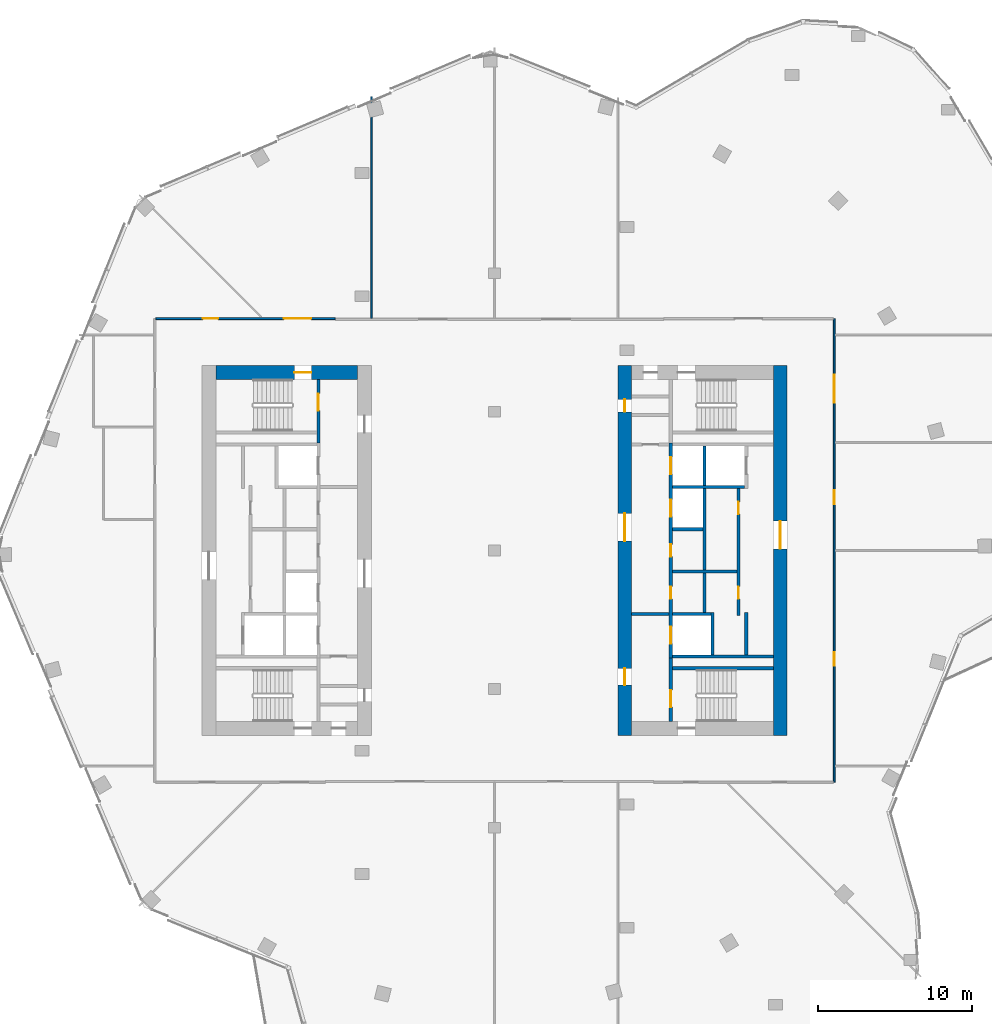
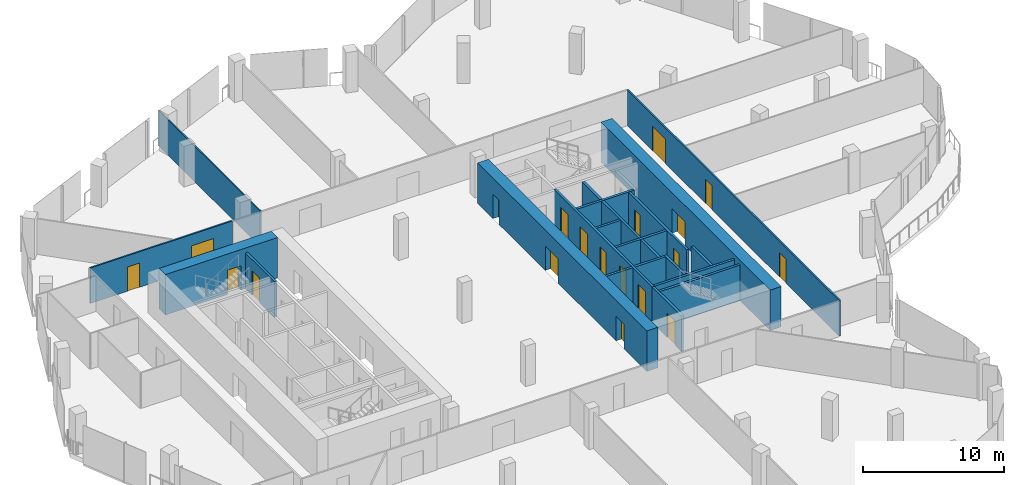
# One storey, part 20 of 26: 22 walls, 19 doors, 19 openings.
"""IFC4 building model written with IfcOpenShell, lengths in metres."""

from ifc_helpers import new_model, si_unit, direction, frame, frame_2d, origin, place, context, subcontext, project, spatial, rectangle, extrude, material, layer, layer_set, type_object, element, fill, save


model = new_model("IFC4")

# Units and contexts
model_context = context("Model", 3, precision=1e-05, world=origin(), true_north=direction((0.0, 1.0)))
body_context = subcontext(model_context, "Body", "Model", "MODEL_VIEW")
ifc_project = project(units=[si_unit("LENGTHUNIT", "METRE"), si_unit("AREAUNIT", "SQUARE_METRE"), si_unit("VOLUMEUNIT", "CUBIC_METRE"), si_unit("PLANEANGLEUNIT", "RADIAN"), si_unit("MASSUNIT", "GRAM", prefix="KILO")], contexts=[model_context])

# Site, building, storey
site_placement = place(None, origin())
site = spatial("IfcSite", under=ifc_project, at=site_placement, CompositionType="ELEMENT")
building_placement = place(site_placement, origin())
building = spatial("IfcBuilding", under=site, at=building_placement, Name="Orlundy Tower", CompositionType="ELEMENT")
storey_placement = place(building_placement, frame((0.0, 0.0, 275.39990234375)))
storey = spatial("IfcBuildingStorey", under=building, at=storey_placement, Name="L73", CompositionType="ELEMENT", Elevation=275.39990234375)

# Wall, opening, door
ifc_material_1 = material(Name="Concrete C50/60", Category="concrete")
ifc_layer_1 = layer(ifc_material_1, 0.89990234375)
ifc_layer_set_1 = layer_set([ifc_layer_1], Name="CORE WALL 900 C50/60")
wall_type_1 = type_object("IfcWallType", Name="CORE WALL 900 C50/60", PredefinedType="SHEAR", material=ifc_layer_set_1)
wall_1_placement = place(storey_placement, frame((-18.10009765625, 11.550048828125, 0.0), z_axis=(0.0, 0.0, 1.0), x_axis=(1.0, 0.0, 0.0)))
wall_1 = element("IfcWall", 1, at=wall_1_placement, inside=storey, type_object=wall_type_1, Name="Core wall W-N L73", PredefinedType="SHEAR", context=body_context, shape_type="SweptSolid", body=[
    extrude(rectangle(XDim=9.2001953125, YDim=0.89990234375, at=frame_2d((4.60009765625, 0.0))), origin(), (0.0, 0.0, 1.0), 3.5),
])
opening_1_placement = place(wall_1_placement, frame((5.10009765625, 0.0, 0.0)))
opening_1 = element("IfcOpeningElement", 2, at=opening_1_placement, cuts=wall_1, Name="Opening 55012", PredefinedType="OPENING", context=body_context, shape_type="SweptSolid", body=[
    extrude(rectangle(XDim=1.10009765625, YDim=2.10009765625, at=frame_2d((0.550048828125, 1.050048828125))), frame((0.0, 0.4599609375, 0.0), z_axis=(0.0, -1.0, 0.0), x_axis=(1.0, 0.0, 0.0)), (0.0, 0.0, 1.0), 0.919921875),
])
ifc_material_2 = material(Name="Steel door set", Category="steel")
door_type_1 = type_object("IfcDoorType", Name="Stair Door 1100x2100", OperationType="SINGLE_SWING_LEFT", PredefinedType="DOOR", material=ifc_material_2)
door_1_placement = place(opening_1_placement, origin())
door_1 = element("IfcDoor", 3, at=door_1_placement, inside=storey, type_object=door_type_1, Name="Stair door 55012", OperationType="SINGLE_SWING_RIGHT", OverallHeight=2.10009765625, OverallWidth=1.10009765625, PredefinedType="DOOR", context=body_context, shape_type="SweptSolid", body=[
    extrude(rectangle(XDim=1.10009765625, YDim=2.10009765625, at=frame_2d((0.550048828125, 1.050048828125))), frame((0.0, 0.02490234375, 0.0), z_axis=(0.0, -1.0, 0.0), x_axis=(1.0, 0.0, 0.0)), (0.0, 0.0, 1.0), 0.050048828125),
])
fill(opening_1, door_1)

# Wall, openings, doors
wall_2_placement = place(storey_placement, frame((8.449951171875, -12.0, 0.0), z_axis=(0.0, 0.0, 1.0), x_axis=(0.0, 1.0, 0.0)))
wall_2 = element("IfcWall", 4, at=wall_2_placement, inside=storey, type_object=wall_type_1, Name="Core wall E-W L73", PredefinedType="SHEAR", context=body_context, shape_type="SweptSolid", body=[
    extrude(rectangle(XDim=24.0, YDim=0.89990234375, at=frame_2d((12.0, 0.0))), origin(), (0.0, 0.0, 1.0), 3.5),
])
opening_2_placement = place(wall_2_placement, frame((12.60009765625, 0.0, 0.0)))
opening_2 = element("IfcOpeningElement", 5, at=opening_2_placement, cuts=wall_2, Name="Opening 55058", PredefinedType="OPENING", context=body_context, shape_type="SweptSolid", body=[
    extrude(rectangle(XDim=1.800048828125, YDim=2.10009765625, at=frame_2d((0.89990234375, 1.050048828125))), frame((0.0, 0.4599609375, 0.0), z_axis=(0.0, -1.0, 0.0), x_axis=(1.0, 0.0, 0.0)), (0.0, 0.0, 1.0), 0.919921875),
])
opening_3_placement = place(wall_2_placement, frame((3.25, 0.0, 0.0)))
opening_3 = element("IfcOpeningElement", 6, at=opening_3_placement, cuts=wall_2, Name="Opening 55060", PredefinedType="OPENING", context=body_context, shape_type="SweptSolid", body=[
    extrude(rectangle(XDim=1.10009765625, YDim=2.10009765625, at=frame_2d((0.550048828125, 1.050048828125))), frame((0.0, 0.4599609375, 0.0), z_axis=(0.0, -1.0, 0.0), x_axis=(1.0, 0.0, 0.0)), (0.0, 0.0, 1.0), 0.919921875),
])
opening_4_placement = place(wall_2_placement, frame((21.0, 0.0, 0.0)))
opening_4 = element("IfcOpeningElement", 7, at=opening_4_placement, cuts=wall_2, Name="Opening 55065", PredefinedType="OPENING", context=body_context, shape_type="SweptSolid", body=[
    extrude(rectangle(XDim=0.800048828125, YDim=2.10009765625, at=frame_2d((0.39990234375, 1.050048828125))), frame((0.0, 0.4599609375, 0.0), z_axis=(0.0, -1.0, 0.0), x_axis=(1.0, 0.0, 0.0)), (0.0, 0.0, 1.0), 0.919921875),
])
ifc_material_3 = material(Name="Steel door set", Category="steel")
door_type_2 = type_object("IfcDoorType", Name="Fire-fighting Lobby Door 1100x2100", OperationType="SINGLE_SWING_LEFT", PredefinedType="DOOR", material=ifc_material_3)
door_2_placement = place(opening_3_placement, origin())
door_2 = element("IfcDoor", 8, at=door_2_placement, inside=storey, type_object=door_type_2, Name="Fire-fighting lobby door 55060", OperationType="SINGLE_SWING_LEFT", OverallHeight=2.10009765625, OverallWidth=1.10009765625, PredefinedType="DOOR", context=body_context, shape_type="SweptSolid", body=[
    extrude(rectangle(XDim=1.10009765625, YDim=2.10009765625, at=frame_2d((0.550048828125, 1.050048828125))), frame((0.0, 0.02490234375, 0.0), z_axis=(0.0, -1.0, 0.0), x_axis=(1.0, 0.0, 0.0)), (0.0, 0.0, 1.0), 0.050048828125),
])
fill(opening_3, door_2)
ifc_material_4 = material(Name="Timber door set", Category="wood")
door_type_3 = type_object("IfcDoorType", Name="Lobby Door 1800x2100", OperationType="DOUBLE_DOOR_DOUBLE_SWING", PredefinedType="DOOR", material=ifc_material_4)
door_3_placement = place(opening_2_placement, origin())
door_3 = element("IfcDoor", 9, at=door_3_placement, inside=storey, type_object=door_type_3, Name="Lift lobby door 55058", OperationType="SINGLE_SWING_RIGHT", OverallHeight=2.10009765625, OverallWidth=1.800048828125, PredefinedType="DOOR", context=body_context, shape_type="SweptSolid", body=[
    extrude(rectangle(XDim=1.800048828125, YDim=2.10009765625, at=frame_2d((0.89990234375, 1.050048828125))), frame((0.0, 0.02490234375, 0.0), z_axis=(0.0, -1.0, 0.0), x_axis=(1.0, 0.0, 0.0)), (0.0, 0.0, 1.0), 0.050048828125),
])
fill(opening_2, door_3)
ifc_material_5 = material(Name="Timber door set", Category="wood")
door_type_4 = type_object("IfcDoorType", Name="Riser Door 800x2100", OperationType="SINGLE_SWING_LEFT", PredefinedType="DOOR", material=ifc_material_5)
door_4_placement = place(opening_4_placement, origin())
door_4 = element("IfcDoor", 10, at=door_4_placement, inside=storey, type_object=door_type_4, Name="Door 55065", OperationType="SINGLE_SWING_RIGHT", OverallHeight=2.10009765625, OverallWidth=0.800048828125, PredefinedType="DOOR", context=body_context, shape_type="SweptSolid", body=[
    extrude(rectangle(XDim=0.800048828125, YDim=2.10009765625, at=frame_2d((0.39990234375, 1.050048828125))), frame((0.0, 0.02490234375, 0.0), z_axis=(0.0, -1.0, 0.0), x_axis=(1.0, 0.0, 0.0)), (0.0, 0.0, 1.0), 0.050048828125),
])
fill(opening_4, door_4)

# Wall, opening, door
wall_3_placement = place(storey_placement, frame((18.550048828125, -12.0, 0.0), z_axis=(0.0, 0.0, 1.0), x_axis=(0.0, 1.0, 0.0)))
wall_3 = element("IfcWall", 11, at=wall_3_placement, inside=storey, type_object=wall_type_1, Name="Core wall E-E L73", PredefinedType="SHEAR", context=body_context, shape_type="SweptSolid", body=[
    extrude(rectangle(XDim=24.0, YDim=0.89990234375, at=frame_2d((12.0, 0.0))), origin(), (0.0, 0.0, 1.0), 3.5),
])
opening_5_placement = place(wall_3_placement, frame((12.10009765625, 0.0, 0.0)))
opening_5 = element("IfcOpeningElement", 12, at=opening_5_placement, cuts=wall_3, Name="Opening 55059", PredefinedType="OPENING", context=body_context, shape_type="SweptSolid", body=[
    extrude(rectangle(XDim=1.800048828125, YDim=2.10009765625, at=frame_2d((0.89990234375, 1.050048828125))), frame((0.0, 0.4599609375, 0.0), z_axis=(0.0, -1.0, 0.0), x_axis=(1.0, 0.0, 0.0)), (0.0, 0.0, 1.0), 0.919921875),
])
door_5_placement = place(opening_5_placement, origin())
door_5 = element("IfcDoor", 13, at=door_5_placement, inside=storey, type_object=door_type_3, Name="Lift lobby door 55059", OperationType="SINGLE_SWING_RIGHT", OverallHeight=2.10009765625, OverallWidth=1.800048828125, PredefinedType="DOOR", context=body_context, shape_type="SweptSolid", body=[
    extrude(rectangle(XDim=1.800048828125, YDim=2.10009765625, at=frame_2d((0.89990234375, 1.050048828125))), frame((0.0, 0.02490234375, 0.0), z_axis=(0.0, -1.0, 0.0), x_axis=(1.0, 0.0, 0.0)), (0.0, 0.0, 1.0), 0.050048828125),
])
fill(opening_5, door_5)

# Wall
ifc_material_6 = material(Name="Gypsum board partition")
ifc_layer_2 = layer(ifc_material_6, 0.10009765625)
ifc_layer_set_2 = layer_set([ifc_layer_2], Name="Floor partition 100")
wall_type_2 = type_object("IfcWallType", Name="Floor partition 100", PredefinedType="PARTITIONING", material=ifc_layer_set_2)
wall_4_placement = place(storey_placement, frame((-8.0, 15.06298828125, 0.0), z_axis=(0.0, 0.0, 1.0), x_axis=(0.0, 1.0, 0.0)))
element("IfcWall", 14, at=wall_4_placement, inside=storey, type_object=wall_type_2, Name="wall-int-L73-023", PredefinedType="PARTITIONING", context=body_context, shape_type="SweptSolid", body=[
    extrude(rectangle(XDim=14.404052734375, YDim=0.10009765625, at=frame_2d((7.2021484375, 0.0))), origin(), (0.0, 0.0, 1.0), 3.080078125),
])

# Wall, openings, doors
ifc_material_7 = material(Name="Gypsum board partition, double layer")
ifc_layer_3 = layer(ifc_material_7, 0.125)
ifc_layer_set_3 = layer_set([ifc_layer_3], Name="Floor partition 125")
wall_type_3 = type_object("IfcWallType", Name="Floor partition 125", PredefinedType="PARTITIONING", material=ifc_layer_set_3)
wall_5_placement = place(storey_placement, frame((-21.988037109375, 15.051025390625, 0.0), z_axis=(0.0, 0.0, 1.0), x_axis=(1.0, 0.0, 0.0)))
wall_5 = element("IfcWall", 15, at=wall_5_placement, inside=storey, type_object=wall_type_3, Name="wall-int-L73-015", PredefinedType="PARTITIONING", context=body_context, shape_type="SweptSolid", body=[
    extrude(rectangle(XDim=11.637939453125, YDim=0.125, at=frame_2d((5.81884765625, 0.0))), origin(), (0.0, 0.0, 1.0), 3.080078125),
])
opening_6_placement = place(wall_5_placement, frame((8.28662109375, 0.0, 0.0)))
opening_6 = element("IfcOpeningElement", 16, at=opening_6_placement, cuts=wall_5, Name="Opening 55113", PredefinedType="OPENING", context=body_context, shape_type="SweptSolid", body=[
    extrude(rectangle(XDim=1.800048828125, YDim=2.10009765625, at=frame_2d((0.89990234375, 1.050048828125))), frame((0.0, 0.072509765625, 0.0), z_axis=(0.0, -1.0, 0.0), x_axis=(1.0, 0.0, 0.0)), (0.0, 0.0, 1.0), 0.14501953125),
])
opening_7_placement = place(wall_5_placement, frame((3.03759765625, 0.0, 0.0)))
opening_7 = element("IfcOpeningElement", 17, at=opening_7_placement, cuts=wall_5, Name="Opening 55114", PredefinedType="OPENING", context=body_context, shape_type="SweptSolid", body=[
    extrude(rectangle(XDim=1.0, YDim=2.10009765625, at=frame_2d((0.5, 1.050048828125))), frame((0.0, 0.072509765625, 0.0), z_axis=(0.0, -1.0, 0.0), x_axis=(1.0, 0.0, 0.0)), (0.0, 0.0, 1.0), 0.14501953125),
])
ifc_material_8 = material(Name="Timber door leaf", Category="wood")
door_type_5 = type_object("IfcDoorType", Name="Floor door double 1800 FD30S", OperationType="NOTDEFINED", PredefinedType="DOOR", material=ifc_material_8)
door_6_placement = place(opening_6_placement, origin())
door_6 = element("IfcDoor", 18, at=door_6_placement, inside=storey, type_object=door_type_5, Name="Door 55113", OperationType="DOUBLE_DOOR_SINGLE_SWING", OverallHeight=2.10009765625, OverallWidth=1.800048828125, PredefinedType="DOOR", context=body_context, shape_type="SweptSolid", body=[
    extrude(rectangle(XDim=1.800048828125, YDim=2.10009765625, at=frame_2d((0.89990234375, 1.050048828125))), frame((0.0, 0.02490234375, 0.0), z_axis=(0.0, -1.0, 0.0), x_axis=(1.0, 0.0, 0.0)), (0.0, 0.0, 1.0), 0.050048828125),
])
fill(opening_6, door_6)
ifc_material_9 = material(Name="Timber door leaf", Category="wood")
door_type_6 = type_object("IfcDoorType", Name="Floor door wide 1000 FD30S", OperationType="NOTDEFINED", PredefinedType="DOOR", material=ifc_material_9)
door_7_placement = place(opening_7_placement, origin())
door_7 = element("IfcDoor", 19, at=door_7_placement, inside=storey, type_object=door_type_6, Name="Door 55114", OperationType="SINGLE_SWING_LEFT", OverallHeight=2.10009765625, OverallWidth=1.0, PredefinedType="DOOR", context=body_context, shape_type="SweptSolid", body=[
    extrude(rectangle(XDim=1.0, YDim=2.10009765625, at=frame_2d((0.5, 1.050048828125))), frame((0.0, 0.02490234375, 0.0), z_axis=(0.0, -1.0, 0.0), x_axis=(1.0, 0.0, 0.0)), (0.0, 0.0, 1.0), 0.050048828125),
])
fill(opening_7, door_7)

wall_6_placement = place(storey_placement, frame((22.051025390625, 15.050048828125, 0.0), z_axis=(0.0, 0.0, 1.0), x_axis=(0.0, -1.0, 0.0)))
wall_6 = element("IfcWall", 20, at=wall_6_placement, inside=storey, type_object=wall_type_3, Name="wall-int-L73-018", PredefinedType="PARTITIONING", context=body_context, shape_type="SweptSolid", body=[
    extrude(rectangle(XDim=30.10009765625, YDim=0.125, at=frame_2d((15.050048828125, 0.0))), origin(), (0.0, 0.0, 1.0), 3.080078125),
])
opening_8_placement = place(wall_6_placement, frame((21.64990234375, 0.0, 0.0)))
opening_8 = element("IfcOpeningElement", 21, at=opening_8_placement, cuts=wall_6, Name="Opening 55107", PredefinedType="OPENING", context=body_context, shape_type="SweptSolid", body=[
    extrude(rectangle(XDim=0.89990234375, YDim=2.10009765625, at=frame_2d((0.449951171875, 1.050048828125))), frame((0.0, 0.072509765625, 0.0), z_axis=(0.0, -1.0, 0.0), x_axis=(1.0, 0.0, 0.0)), (0.0, 0.0, 1.0), 0.14501953125),
])
opening_9_placement = place(wall_6_placement, frame((11.14990234375, 0.0, 0.0)))
opening_9 = element("IfcOpeningElement", 22, at=opening_9_placement, cuts=wall_6, Name="Opening 55108", PredefinedType="OPENING", context=body_context, shape_type="SweptSolid", body=[
    extrude(rectangle(XDim=0.89990234375, YDim=2.10009765625, at=frame_2d((0.449951171875, 1.050048828125))), frame((0.0, 0.072509765625, 0.0), z_axis=(0.0, -1.0, 0.0), x_axis=(1.0, 0.0, 0.0)), (0.0, 0.0, 1.0), 0.14501953125),
])
opening_10_placement = place(wall_6_placement, frame((3.64990234375, 0.0, 0.0)))
opening_10 = element("IfcOpeningElement", 23, at=opening_10_placement, cuts=wall_6, Name="Opening 55109", PredefinedType="OPENING", context=body_context, shape_type="SweptSolid", body=[
    extrude(rectangle(XDim=1.800048828125, YDim=2.10009765625, at=frame_2d((0.89990234375, 1.050048828125))), frame((0.0, 0.072509765625, 0.0), z_axis=(0.0, -1.0, 0.0), x_axis=(1.0, 0.0, 0.0)), (0.0, 0.0, 1.0), 0.14501953125),
])
door_8_placement = place(opening_10_placement, origin())
door_8 = element("IfcDoor", 24, at=door_8_placement, inside=storey, type_object=door_type_5, Name="Door 55109", OperationType="DOUBLE_DOOR_SINGLE_SWING", OverallHeight=2.10009765625, OverallWidth=1.800048828125, PredefinedType="DOOR", context=body_context, shape_type="SweptSolid", body=[
    extrude(rectangle(XDim=1.800048828125, YDim=2.10009765625, at=frame_2d((0.89990234375, 1.050048828125))), frame((0.0, 0.02490234375, 0.0), z_axis=(0.0, -1.0, 0.0), x_axis=(1.0, 0.0, 0.0)), (0.0, 0.0, 1.0), 0.050048828125),
])
fill(opening_10, door_8)
ifc_material_10 = material(Name="Timber door leaf", Category="wood")
door_type_7 = type_object("IfcDoorType", Name="Floor door single 900 FD30S", OperationType="NOTDEFINED", PredefinedType="DOOR", material=ifc_material_10)
door_9_placement = place(opening_8_placement, origin())
door_9 = element("IfcDoor", 25, at=door_9_placement, inside=storey, type_object=door_type_7, Name="Door 55107", OperationType="SINGLE_SWING_RIGHT", OverallHeight=2.10009765625, OverallWidth=0.89990234375, PredefinedType="DOOR", context=body_context, shape_type="SweptSolid", body=[
    extrude(rectangle(XDim=0.89990234375, YDim=2.10009765625, at=frame_2d((0.449951171875, 1.050048828125))), frame((0.0, 0.02490234375, 0.0), z_axis=(0.0, -1.0, 0.0), x_axis=(1.0, 0.0, 0.0)), (0.0, 0.0, 1.0), 0.050048828125),
])
fill(opening_8, door_9)
door_10_placement = place(opening_9_placement, origin())
door_10 = element("IfcDoor", 26, at=door_10_placement, inside=storey, type_object=door_type_7, Name="Door 55108", OperationType="SINGLE_SWING_LEFT", OverallHeight=2.10009765625, OverallWidth=0.89990234375, PredefinedType="DOOR", context=body_context, shape_type="SweptSolid", body=[
    extrude(rectangle(XDim=0.89990234375, YDim=2.10009765625, at=frame_2d((0.449951171875, 1.050048828125))), frame((0.0, 0.02490234375, 0.0), z_axis=(0.0, -1.0, 0.0), x_axis=(1.0, 0.0, 0.0)), (0.0, 0.0, 1.0), 0.050048828125),
])
fill(opening_9, door_10)

# Wall, opening, door
ifc_material_11 = material(Name="Concrete C40/50", Category="concrete")
ifc_layer_4 = layer(ifc_material_11, 0.199951171875)
ifc_layer_set_4 = layer_set([ifc_layer_4], Name="Load-bearing Shaft Wall 200")
wall_type_4 = type_object("IfcWallType", Name="Load-bearing Shaft Wall 200", PredefinedType="SOLIDWALL", material=ifc_layer_set_4)
wall_7_placement = place(storey_placement, frame((-11.43994140625, 6.97509765625, 0.0), z_axis=(0.0, 0.0, 1.0), x_axis=(0.0, 1.0, 0.0)))
wall_7 = element("IfcWall", 27, at=wall_7_placement, inside=storey, type_object=wall_type_4, Name="Shaft wall W55-stair-end-n", PredefinedType="SOLIDWALL", context=body_context, shape_type="SweptSolid", body=[
    extrude(rectangle(XDim=4.125, YDim=0.199951171875, at=frame_2d((2.0625, 0.0))), origin(), (0.0, 0.0, 1.0), 3.090087890625),
])
opening_11_placement = place(wall_7_placement, frame((2.10009765625, 0.0, 0.0)))
opening_11 = element("IfcOpeningElement", 28, at=opening_11_placement, cuts=wall_7, Name="Opening 55014", PredefinedType="OPENING", context=body_context, shape_type="SweptSolid", body=[
    extrude(rectangle(XDim=1.10009765625, YDim=2.10009765625, at=frame_2d((0.550048828125, 1.050048828125))), frame((0.0, 0.110107421875, 0.0), z_axis=(0.0, -1.0, 0.0), x_axis=(1.0, 0.0, 0.0)), (0.0, 0.0, 1.0), 0.22021484375),
])
door_11_placement = place(opening_11_placement, origin())
door_11 = element("IfcDoor", 29, at=door_11_placement, inside=storey, type_object=door_type_2, Name="Fire-fighting lobby to stair door 55014", OperationType="SINGLE_SWING_RIGHT", OverallHeight=2.10009765625, OverallWidth=1.10009765625, PredefinedType="DOOR", context=body_context, shape_type="SweptSolid", body=[
    extrude(rectangle(XDim=1.10009765625, YDim=2.10009765625, at=frame_2d((0.550048828125, 1.050048828125))), frame((0.0, 0.02490234375, 0.0), z_axis=(0.0, -1.0, 0.0), x_axis=(1.0, 0.0, 0.0)), (0.0, 0.0, 1.0), 0.050048828125),
])
fill(opening_11, door_11)

wall_8_placement = place(storey_placement, frame((11.43994140625, -6.97509765625, 0.0), z_axis=(0.0, 0.0, 1.0), x_axis=(0.0, -1.0, 0.0)))
wall_8 = element("IfcWall", 30, at=wall_8_placement, inside=storey, type_object=wall_type_4, Name="Shaft wall E55-stair-end-n", PredefinedType="SOLIDWALL", context=body_context, shape_type="SweptSolid", body=[
    extrude(rectangle(XDim=4.125, YDim=0.199951171875, at=frame_2d((2.0625, 0.0))), origin(), (0.0, 0.0, 1.0), 3.090087890625),
])
opening_12_placement = place(wall_8_placement, frame((2.10009765625, 0.0, 0.0)))
opening_12 = element("IfcOpeningElement", 31, at=opening_12_placement, cuts=wall_8, Name="Opening 55063", PredefinedType="OPENING", context=body_context, shape_type="SweptSolid", body=[
    extrude(rectangle(XDim=1.10009765625, YDim=2.10009765625, at=frame_2d((0.550048828125, 1.050048828125))), frame((0.0, 0.110107421875, 0.0), z_axis=(0.0, -1.0, 0.0), x_axis=(1.0, 0.0, 0.0)), (0.0, 0.0, 1.0), 0.22021484375),
])
door_12_placement = place(opening_12_placement, origin())
door_12 = element("IfcDoor", 32, at=door_12_placement, inside=storey, type_object=door_type_2, Name="Fire-fighting lobby to stair door 55063", OperationType="SINGLE_SWING_RIGHT", OverallHeight=2.10009765625, OverallWidth=1.10009765625, PredefinedType="DOOR", context=body_context, shape_type="SweptSolid", body=[
    extrude(rectangle(XDim=1.10009765625, YDim=2.10009765625, at=frame_2d((0.550048828125, 1.050048828125))), frame((0.0, 0.02490234375, 0.0), z_axis=(0.0, -1.0, 0.0), x_axis=(1.0, 0.0, 0.0)), (0.0, 0.0, 1.0), 0.050048828125),
])
fill(opening_12, door_12)

# Walls
wall_9_placement = place(storey_placement, frame((11.5400390625, -7.64990234375, 0.0), z_axis=(0.0, 0.0, 1.0), x_axis=(1.0, 0.0, 0.0)))
element("IfcWall", 33, at=wall_9_placement, inside=storey, type_object=wall_type_4, Name="Shaft wall E55-stair-side-n", PredefinedType="SOLIDWALL", context=body_context, shape_type="SweptSolid", body=[
    extrude(rectangle(XDim=6.56005859375, YDim=0.199951171875, at=frame_2d((3.280029296875, 0.0))), origin(), (0.0, 0.0, 1.0), 3.090087890625),
])
ifc_material_12 = material(Name="Gypsum board partition on steel studs", Category="steel")
ifc_layer_5 = layer(ifc_material_12, 0.199951171875)
ifc_layer_set_5 = layer_set([ifc_layer_5], Name="Partition 200")
wall_type_5 = type_object("IfcWallType", Name="Partition 200", PredefinedType="PARTITIONING", material=ifc_layer_set_5)
wall_10_placement = place(storey_placement, frame((8.89990234375, -4.125, 0.0), z_axis=(0.0, 0.0, 1.0), x_axis=(1.0, 0.0, 0.0)))
element("IfcWall", 34, at=wall_10_placement, inside=storey, type_object=wall_type_5, Name="Partition wall E55-lobby-n", PredefinedType="PARTITIONING", context=body_context, shape_type="SweptSolid", body=[
    extrude(rectangle(XDim=2.440185546875, YDim=0.199951171875, at=frame_2d((1.22021484375, 0.0))), origin(), (0.0, 0.0, 1.0), 3.090087890625),
])
ifc_material_13 = material(Name="Fire-rated blockwork shaft wall", Category="masonry")
ifc_layer_6 = layer(ifc_material_13, 0.199951171875)
ifc_layer_set_6 = layer_set([ifc_layer_6], Name="Shaft Wall 200")
wall_type_6 = type_object("IfcWallType", Name="Shaft Wall 200", PredefinedType="SOLIDWALL", material=ifc_layer_set_6)
wall_11_placement = place(storey_placement, frame((11.5400390625, -6.875, 0.0), z_axis=(0.0, 0.0, 1.0), x_axis=(1.0, 0.0, 0.0)))
element("IfcWall", 35, at=wall_11_placement, inside=storey, type_object=wall_type_6, Name="Shaft wall E55-zone-n", PredefinedType="SOLIDWALL", context=body_context, shape_type="SweptSolid", body=[
    extrude(rectangle(XDim=6.56005859375, YDim=0.199951171875, at=frame_2d((3.280029296875, 0.0))), origin(), (0.0, 0.0, 1.0), 3.090087890625),
])
wall_12_placement = place(storey_placement, frame((11.5400390625, 4.125, 0.0), z_axis=(0.0, 0.0, 1.0), x_axis=(1.0, 0.0, 0.0)))
element("IfcWall", 36, at=wall_12_placement, inside=storey, type_object=wall_type_6, Name="Shaft wall E55-cross-4.125", PredefinedType="SOLIDWALL", context=body_context, shape_type="SweptSolid", body=[
    extrude(rectangle(XDim=4.699951171875, YDim=0.199951171875, at=frame_2d((2.35009765625, 0.0))), origin(), (0.0, 0.0, 1.0), 3.090087890625),
])
wall_13_placement = place(storey_placement, frame((11.5400390625, 1.375, 0.0), z_axis=(0.0, 0.0, 1.0), x_axis=(1.0, 0.0, 0.0)))
element("IfcWall", 37, at=wall_13_placement, inside=storey, type_object=wall_type_6, Name="Shaft wall E55-cross-1.375", PredefinedType="SOLIDWALL", context=body_context, shape_type="SweptSolid", body=[
    extrude(rectangle(XDim=2.0, YDim=0.199951171875, at=frame_2d((1.0, 0.0))), origin(), (0.0, 0.0, 1.0), 3.090087890625),
])
wall_14_placement = place(storey_placement, frame((11.5400390625, -1.375, 0.0), z_axis=(0.0, 0.0, 1.0), x_axis=(1.0, 0.0, 0.0)))
element("IfcWall", 38, at=wall_14_placement, inside=storey, type_object=wall_type_6, Name="Shaft wall E55-cross+1.375", PredefinedType="SOLIDWALL", context=body_context, shape_type="SweptSolid", body=[
    extrude(rectangle(XDim=4.199951171875, YDim=0.199951171875, at=frame_2d((2.10009765625, 0.0))), origin(), (0.0, 0.0, 1.0), 3.090087890625),
])
wall_15_placement = place(storey_placement, frame((11.5400390625, -4.125, 0.0), z_axis=(0.0, 0.0, 1.0), x_axis=(1.0, 0.0, 0.0)))
element("IfcWall", 39, at=wall_15_placement, inside=storey, type_object=wall_type_6, Name="Shaft wall E55-cross+4.125", PredefinedType="SOLIDWALL", context=body_context, shape_type="SweptSolid", body=[
    extrude(rectangle(XDim=2.5, YDim=0.199951171875, at=frame_2d((1.25, 0.0))), origin(), (0.0, 0.0, 1.0), 3.090087890625),
])

# Wall, openings, doors
wall_16_placement = place(storey_placement, frame((11.43994140625, 6.97509765625, 0.0), z_axis=(0.0, 0.0, 1.0), x_axis=(0.0, -1.0, 0.0)))
wall_16 = element("IfcWall", 40, at=wall_16_placement, inside=storey, type_object=wall_type_6, Name="Shaft wall E55-front-h", PredefinedType="SOLIDWALL", context=body_context, shape_type="SweptSolid", body=[
    extrude(rectangle(XDim=13.9501953125, YDim=0.199951171875, at=frame_2d((6.97509765625, 0.0))), origin(), (0.0, 0.0, 1.0), 3.090087890625),
])
opening_13_placement = place(wall_16_placement, frame((0.925048828125, 0.0, 0.0)))
opening_13 = element("IfcOpeningElement", 41, at=opening_13_placement, cuts=wall_16, Name="Opening 55050", PredefinedType="OPENING", context=body_context, shape_type="SweptSolid", body=[
    extrude(rectangle(XDim=1.10009765625, YDim=2.10009765625, at=frame_2d((0.550048828125, 1.050048828125))), frame((0.0, 0.110107421875, 0.0), z_axis=(0.0, -1.0, 0.0), x_axis=(1.0, 0.0, 0.0)), (0.0, 0.0, 1.0), 0.22021484375),
])
opening_14_placement = place(wall_16_placement, frame((3.675048828125, 0.0, 0.0)))
opening_14 = element("IfcOpeningElement", 42, at=opening_14_placement, cuts=wall_16, Name="Opening 55052", PredefinedType="OPENING", context=body_context, shape_type="SweptSolid", body=[
    extrude(rectangle(XDim=1.10009765625, YDim=2.10009765625, at=frame_2d((0.550048828125, 1.050048828125))), frame((0.0, 0.110107421875, 0.0), z_axis=(0.0, -1.0, 0.0), x_axis=(1.0, 0.0, 0.0)), (0.0, 0.0, 1.0), 0.22021484375),
])
opening_15_placement = place(wall_16_placement, frame((11.925048828125, 0.0, 0.0)))
opening_15 = element("IfcOpeningElement", 43, at=opening_15_placement, cuts=wall_16, Name="Opening 55053", PredefinedType="OPENING", context=body_context, shape_type="SweptSolid", body=[
    extrude(rectangle(XDim=1.10009765625, YDim=2.10009765625, at=frame_2d((0.550048828125, 1.050048828125))), frame((0.0, 0.110107421875, 0.0), z_axis=(0.0, -1.0, 0.0), x_axis=(1.0, 0.0, 0.0)), (0.0, 0.0, 1.0), 0.22021484375),
])
opening_16_placement = place(wall_16_placement, frame((6.574951171875, 0.0, 0.0)))
opening_16 = element("IfcOpeningElement", 44, at=opening_16_placement, cuts=wall_16, Name="Opening 55055", PredefinedType="OPENING", context=body_context, shape_type="SweptSolid", body=[
    extrude(rectangle(XDim=0.800048828125, YDim=2.10009765625, at=frame_2d((0.39990234375, 1.050048828125))), frame((0.0, 0.110107421875, 0.0), z_axis=(0.0, -1.0, 0.0), x_axis=(1.0, 0.0, 0.0)), (0.0, 0.0, 1.0), 0.22021484375),
])
opening_17_placement = place(wall_16_placement, frame((9.324951171875, 0.0, 0.0)))
opening_17 = element("IfcOpeningElement", 45, at=opening_17_placement, cuts=wall_16, Name="Opening 55056", PredefinedType="OPENING", context=body_context, shape_type="SweptSolid", body=[
    extrude(rectangle(XDim=0.800048828125, YDim=2.10009765625, at=frame_2d((0.39990234375, 1.050048828125))), frame((0.0, 0.110107421875, 0.0), z_axis=(0.0, -1.0, 0.0), x_axis=(1.0, 0.0, 0.0)), (0.0, 0.0, 1.0), 0.22021484375),
])
ifc_material_14 = material(Name="Steel door set", Category="steel")
door_type_8 = type_object("IfcDoorType", Name="Landing Door 1100x2100", OperationType="DOUBLE_DOOR_SLIDING", PredefinedType="DOOR", material=ifc_material_14)
door_13_placement = place(opening_13_placement, origin())
door_13 = element("IfcDoor", 46, at=door_13_placement, inside=storey, type_object=door_type_8, Name="Lift landing door LP-24 55050", OperationType="DOUBLE_DOOR_SLIDING", OverallHeight=2.10009765625, OverallWidth=1.10009765625, PredefinedType="DOOR", context=body_context, shape_type="SweptSolid", body=[
    extrude(rectangle(XDim=1.10009765625, YDim=2.10009765625, at=frame_2d((0.550048828125, 1.050048828125))), frame((0.0, 0.02490234375, 0.0), z_axis=(0.0, -1.0, 0.0), x_axis=(1.0, 0.0, 0.0)), (0.0, 0.0, 1.0), 0.050048828125),
])
fill(opening_13, door_13)
door_14_placement = place(opening_14_placement, origin())
door_14 = element("IfcDoor", 47, at=door_14_placement, inside=storey, type_object=door_type_8, Name="Lift landing door LP-23 55052", OperationType="DOUBLE_DOOR_SLIDING", OverallHeight=2.10009765625, OverallWidth=1.10009765625, PredefinedType="DOOR", context=body_context, shape_type="SweptSolid", body=[
    extrude(rectangle(XDim=1.10009765625, YDim=2.10009765625, at=frame_2d((0.550048828125, 1.050048828125))), frame((0.0, 0.02490234375, 0.0), z_axis=(0.0, -1.0, 0.0), x_axis=(1.0, 0.0, 0.0)), (0.0, 0.0, 1.0), 0.050048828125),
])
fill(opening_14, door_14)
door_15_placement = place(opening_15_placement, origin())
door_15 = element("IfcDoor", 48, at=door_15_placement, inside=storey, type_object=door_type_8, Name="Lift landing door FL2 55053", OperationType="DOUBLE_DOOR_SLIDING", OverallHeight=2.10009765625, OverallWidth=1.10009765625, PredefinedType="DOOR", context=body_context, shape_type="SweptSolid", body=[
    extrude(rectangle(XDim=1.10009765625, YDim=2.10009765625, at=frame_2d((0.550048828125, 1.050048828125))), frame((0.0, 0.02490234375, 0.0), z_axis=(0.0, -1.0, 0.0), x_axis=(1.0, 0.0, 0.0)), (0.0, 0.0, 1.0), 0.050048828125),
])
fill(opening_15, door_15)
door_16_placement = place(opening_16_placement, origin())
door_16 = element("IfcDoor", 49, at=door_16_placement, inside=storey, type_object=door_type_4, Name="Coat Store door 55055", OperationType="SINGLE_SWING_LEFT", OverallHeight=2.10009765625, OverallWidth=0.800048828125, PredefinedType="DOOR", context=body_context, shape_type="SweptSolid", body=[
    extrude(rectangle(XDim=0.800048828125, YDim=2.10009765625, at=frame_2d((0.39990234375, 1.050048828125))), frame((0.0, 0.02490234375, 0.0), z_axis=(0.0, -1.0, 0.0), x_axis=(1.0, 0.0, 0.0)), (0.0, 0.0, 1.0), 0.050048828125),
])
fill(opening_16, door_16)
door_17_placement = place(opening_17_placement, origin())
door_17 = element("IfcDoor", 50, at=door_17_placement, inside=storey, type_object=door_type_4, Name="Parcel Store door 55056", OperationType="SINGLE_SWING_LEFT", OverallHeight=2.10009765625, OverallWidth=0.800048828125, PredefinedType="DOOR", context=body_context, shape_type="SweptSolid", body=[
    extrude(rectangle(XDim=0.800048828125, YDim=2.10009765625, at=frame_2d((0.39990234375, 1.050048828125))), frame((0.0, 0.02490234375, 0.0), z_axis=(0.0, -1.0, 0.0), x_axis=(1.0, 0.0, 0.0)), (0.0, 0.0, 1.0), 0.050048828125),
])
fill(opening_17, door_17)

# Walls
wall_17_placement = place(storey_placement, frame((13.639892578125, 6.77490234375, 0.0), z_axis=(0.0, 0.0, 1.0), x_axis=(0.0, -1.0, 0.0)))
element("IfcWall", 51, at=wall_17_placement, inside=storey, type_object=wall_type_6, Name="Shaft wall E55-mid-a", PredefinedType="SOLIDWALL", context=body_context, shape_type="SweptSolid", body=[
    extrude(rectangle(XDim=2.5498046875, YDim=0.199951171875, at=frame_2d((1.27490234375, 0.0))), origin(), (0.0, 0.0, 1.0), 3.090087890625),
])
wall_18_placement = place(storey_placement, frame((13.639892578125, 4.02490234375, 0.0), z_axis=(0.0, 0.0, 1.0), x_axis=(0.0, -1.0, 0.0)))
element("IfcWall", 52, at=wall_18_placement, inside=storey, type_object=wall_type_6, Name="Shaft wall E55-mid-a.1", PredefinedType="SOLIDWALL", context=body_context, shape_type="SweptSolid", body=[
    extrude(rectangle(XDim=5.2998046875, YDim=0.199951171875, at=frame_2d((2.64990234375, 0.0))), origin(), (0.0, 0.0, 1.0), 3.090087890625),
])
wall_19_placement = place(storey_placement, frame((13.639892578125, -1.47509765625, 0.0), z_axis=(0.0, 0.0, 1.0), x_axis=(0.0, -1.0, 0.0)))
element("IfcWall", 53, at=wall_19_placement, inside=storey, type_object=wall_type_6, Name="Shaft wall E55-mid-a.2", PredefinedType="SOLIDWALL", context=body_context, shape_type="SweptSolid", body=[
    extrude(rectangle(XDim=2.5498046875, YDim=0.199951171875, at=frame_2d((1.27490234375, 0.0))), origin(), (0.0, 0.0, 1.0), 3.090087890625),
])
wall_20_placement = place(storey_placement, frame((14.139892578125, -4.02490234375, 0.0), z_axis=(0.0, 0.0, 1.0), x_axis=(0.0, -1.0, 0.0)))
element("IfcWall", 54, at=wall_20_placement, inside=storey, type_object=wall_type_6, Name="Shaft wall E55-mid-b", PredefinedType="SOLIDWALL", context=body_context, shape_type="SweptSolid", body=[
    extrude(rectangle(XDim=2.75, YDim=0.199951171875, at=frame_2d((1.375, 0.0))), origin(), (0.0, 0.0, 1.0), 3.090087890625),
])

# Wall, openings, doors
wall_21_placement = place(storey_placement, frame((15.840087890625, 4.02490234375, 0.0), z_axis=(0.0, 0.0, 1.0), x_axis=(0.0, -1.0, 0.0)))
wall_21 = element("IfcWall", 55, at=wall_21_placement, inside=storey, type_object=wall_type_6, Name="Shaft wall E55-front-o-b", PredefinedType="SOLIDWALL", context=body_context, shape_type="SweptSolid", body=[
    extrude(rectangle(XDim=8.25, YDim=0.199951171875, at=frame_2d((4.125, 0.0))), origin(), (0.0, 0.0, 1.0), 3.090087890625),
])
opening_18_placement = place(wall_21_placement, frame((0.875, 0.0, 0.0)))
opening_18 = element("IfcOpeningElement", 56, at=opening_18_placement, cuts=wall_21, Name="Opening 55054", PredefinedType="OPENING", context=body_context, shape_type="SweptSolid", body=[
    extrude(rectangle(XDim=0.800048828125, YDim=2.10009765625, at=frame_2d((0.39990234375, 1.050048828125))), frame((0.0, 0.110107421875, 0.0), z_axis=(0.0, -1.0, 0.0), x_axis=(1.0, 0.0, 0.0)), (0.0, 0.0, 1.0), 0.22021484375),
])
opening_19_placement = place(wall_21_placement, frame((6.375, 0.0, 0.0)))
opening_19 = element("IfcOpeningElement", 57, at=opening_19_placement, cuts=wall_21, Name="Opening 55057", PredefinedType="OPENING", context=body_context, shape_type="SweptSolid", body=[
    extrude(rectangle(XDim=0.800048828125, YDim=2.10009765625, at=frame_2d((0.39990234375, 1.050048828125))), frame((0.0, 0.110107421875, 0.0), z_axis=(0.0, -1.0, 0.0), x_axis=(1.0, 0.0, 0.0)), (0.0, 0.0, 1.0), 0.22021484375),
])
door_18_placement = place(opening_18_placement, origin())
door_18 = element("IfcDoor", 58, at=door_18_placement, inside=storey, type_object=door_type_4, Name="Printer Paper Store door 55054", OperationType="SINGLE_SWING_LEFT", OverallHeight=2.10009765625, OverallWidth=0.800048828125, PredefinedType="DOOR", context=body_context, shape_type="SweptSolid", body=[
    extrude(rectangle(XDim=0.800048828125, YDim=2.10009765625, at=frame_2d((0.39990234375, 1.050048828125))), frame((0.0, 0.02490234375, 0.0), z_axis=(0.0, -1.0, 0.0), x_axis=(1.0, 0.0, 0.0)), (0.0, 0.0, 1.0), 0.050048828125),
])
fill(opening_18, door_18)
door_19_placement = place(opening_19_placement, origin())
door_19 = element("IfcDoor", 59, at=door_19_placement, inside=storey, type_object=door_type_4, Name="Coat Store door 55057", OperationType="SINGLE_SWING_LEFT", OverallHeight=2.10009765625, OverallWidth=0.800048828125, PredefinedType="DOOR", context=body_context, shape_type="SweptSolid", body=[
    extrude(rectangle(XDim=0.800048828125, YDim=2.10009765625, at=frame_2d((0.39990234375, 1.050048828125))), frame((0.0, 0.02490234375, 0.0), z_axis=(0.0, -1.0, 0.0), x_axis=(1.0, 0.0, 0.0)), (0.0, 0.0, 1.0), 0.050048828125),
])
fill(opening_19, door_19)

# Wall
wall_22_placement = place(storey_placement, frame((16.340087890625, -4.02490234375, 0.0), z_axis=(0.0, 0.0, 1.0), x_axis=(0.0, -1.0, 0.0)))
element("IfcWall", 60, at=wall_22_placement, inside=storey, type_object=wall_type_6, Name="Shaft wall E55-front-o-c", PredefinedType="SOLIDWALL", context=body_context, shape_type="SweptSolid", body=[
    extrude(rectangle(XDim=2.75, YDim=0.199951171875, at=frame_2d((1.375, 0.0))), origin(), (0.0, 0.0, 1.0), 3.090087890625),
])

save(model, "model.ifc")
